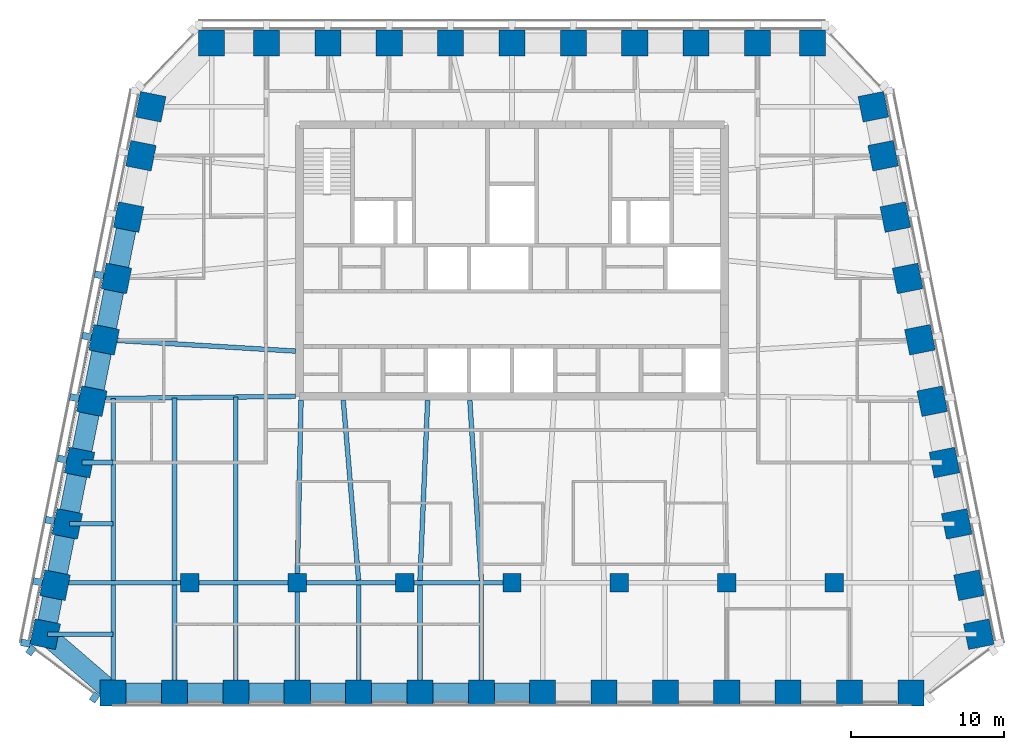
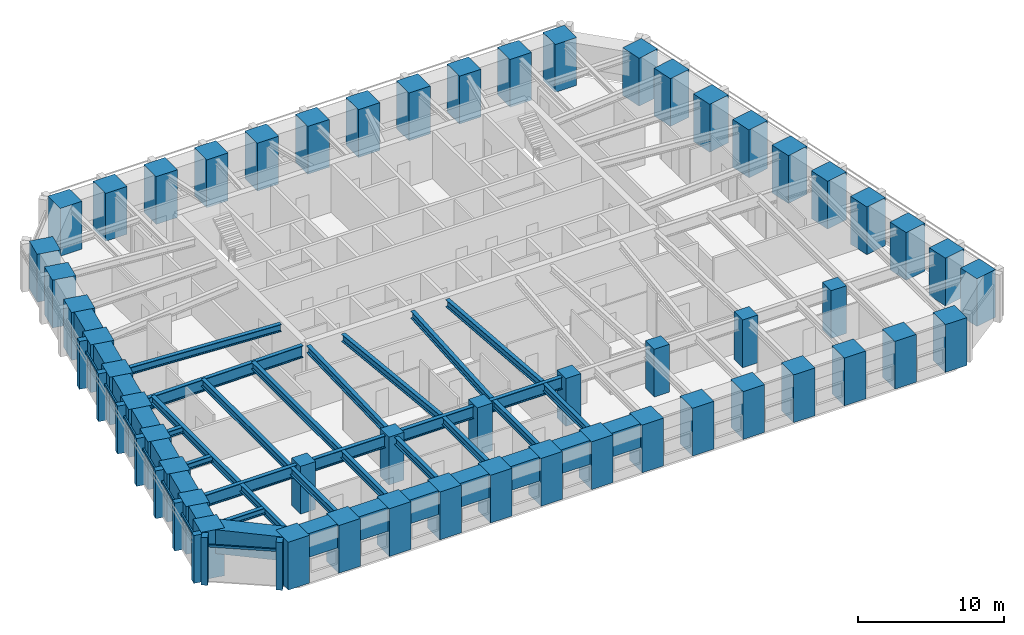
# One storey, part 1 of 11: 52 columns, 38 beams, 16 members, 2 elements without a shape of their own.
"""IFC4 building model written with IfcOpenShell, lengths in metres."""

from ifc_helpers import new_model, si_unit, direction, frame, origin, origin_2d, place, context, subcontext, project, spatial, rectangle, i_section, extrude, material, material_profile, profile_set, type_object, element, aggregate, save


model = new_model("IFC4")

# Units and contexts
model_context = context("Model", 3, precision=1e-05, world=origin(), true_north=direction((0.0, 1.0)))
body_context = subcontext(model_context, "Body", "Model", "MODEL_VIEW")
ifc_project = project(units=[si_unit("LENGTHUNIT", "METRE"), si_unit("AREAUNIT", "SQUARE_METRE"), si_unit("VOLUMEUNIT", "CUBIC_METRE"), si_unit("PLANEANGLEUNIT", "RADIAN"), si_unit("MASSUNIT", "GRAM", prefix="KILO")], contexts=[model_context])

# Site, building, storey
site_placement = place(None, origin())
site = spatial("IfcSite", under=ifc_project, at=site_placement, CompositionType="ELEMENT")
building_placement = place(site_placement, origin())
building = spatial("IfcBuilding", under=site, at=building_placement, Name="Isbrekke Arena Tower", CompositionType="ELEMENT")
storey_placement = place(building_placement, frame((0.0, 0.0, 264.0)))
storey = spatial("IfcBuildingStorey", under=building, at=storey_placement, Name="L61", CompositionType="ELEMENT", Elevation=264.0)

# Columns
ifc_material_1 = material(Name="Concrete B55 (C55/67)", Category="concrete")
ifc_material_profile_1 = material_profile(ifc_material_1, rectangle(XDim=1.199951171875, YDim=1.199951171875, at=origin_2d()), Name="RC 1200x1200")
ifc_profile_set_1 = profile_set([ifc_material_profile_1], Name="Concrete B55 (C55/67)")
column_type_1 = type_object("IfcColumnType", Name="C14 RC 1200 x 1200", PredefinedType="COLUMN", material=ifc_profile_set_1)
for number, where, z_axis, x_axis, name in (
    (1, (-21.0, -6.0, 0.0), (0.0, 0.0, 1.0), (1.0, 0.0, 0.0), "C14 I01"),
    (2, (-14.0, -6.0, 0.0), (0.0, 0.0, 1.0), (1.0, 0.0, 0.0), "C14 I02"),
    (3, (-7.0, -6.0, 0.0), (0.0, 0.0, 1.0), (1.0, 0.0, 0.0), "C14 I03"),
    (4, (0.0, -6.0, 0.0), (0.0, 0.0, 1.0), (1.0, 0.0, 0.0), "C14 I04"),
    (5, (7.0, -6.0, 0.0), (0.0, 0.0, 1.0), (1.0, 0.0, 0.0), "C14 I05"),
    (6, (14.0, -6.0, 0.0), (0.0, 0.0, 1.0), (1.0, 0.0, 0.0), "C14 I06"),
    (7, (21.0, -6.0, 0.0), (0.0, 0.0, 1.0), (1.0, 0.0, 0.0), "C14 I07"),
):
    element("IfcColumn", number, at=place(storey_placement, frame(where, z_axis=z_axis, x_axis=x_axis)), inside=storey, type_object=column_type_1, Name=name, PredefinedType="COLUMN", context=body_context, shape_type="SweptSolid", body=[
        extrude(rectangle(XDim=1.199951171875, YDim=1.199951171875, at=origin_2d()), origin(), (0.0, 0.0, 1.0), 4.0),
    ])
ifc_material_2 = material(Name="Concrete B55 (C55/67)", Category="concrete")
ifc_material_profile_2 = material_profile(ifc_material_2, rectangle(XDim=1.699951171875, YDim=1.699951171875, at=origin_2d()), Name="RC 1700x1700")
ifc_profile_set_2 = profile_set([ifc_material_profile_2], Name="Concrete B55 (C55/67)")
column_type_2 = type_object("IfcColumnType", Name="C5 RC 1700 x 1700", PredefinedType="COLUMN", material=ifc_profile_set_2)
for number, where, z_axis, x_axis, name in (
    (8, (-26.0, -13.175048828125, 0.0), (0.0, 0.0, 1.0), (1.0, 0.0, 0.0), "C5 S01"),
    (9, (-22.0, -13.175048828125, 0.0), (0.0, 0.0, 1.0), (1.0, 0.0, 0.0), "C5 S02"),
    (10, (-18.0, -13.175048828125, 0.0), (0.0, 0.0, 1.0), (1.0, 0.0, 0.0), "C5 S03"),
    (11, (-14.0, -13.175048828125, 0.0), (0.0, 0.0, 1.0), (1.0, 0.0, 0.0), "C5 S04"),
    (12, (-10.0, -13.175048828125, 0.0), (0.0, 0.0, 1.0), (1.0, 0.0, 0.0), "C5 S05"),
    (13, (-6.0, -13.175048828125, 0.0), (0.0, 0.0, 1.0), (1.0, 0.0, 0.0), "C5 S06"),
    (14, (-2.0, -13.175048828125, 0.0), (0.0, 0.0, 1.0), (1.0, 0.0, 0.0), "C5 S07"),
    (15, (2.0, -13.175048828125, 0.0), (0.0, 0.0, 1.0), (1.0, 0.0, 0.0), "C5 S08"),
    (16, (6.0, -13.175048828125, 0.0), (0.0, 0.0, 1.0), (1.0, 0.0, 0.0), "C5 S09"),
    (17, (10.0, -13.175048828125, 0.0), (0.0, 0.0, 1.0), (1.0, 0.0, 0.0), "C5 S10"),
    (18, (14.0, -13.175048828125, 0.0), (0.0, 0.0, 1.0), (1.0, 0.0, 0.0), "C5 S11"),
    (19, (18.0, -13.175048828125, 0.0), (0.0, 0.0, 1.0), (1.0, 0.0, 0.0), "C5 S12"),
    (20, (22.0, -13.175048828125, 0.0), (0.0, 0.0, 1.0), (1.0, 0.0, 0.0), "C5 S13"),
    (21, (26.0, -13.175048828125, 0.0), (0.0, 0.0, 1.0), (1.0, 0.0, 0.0), "C5 S14"),
    (22, (30.42919921875, -9.352783203125, 0.0), (0.0, 0.0, 1.0), (-0.196116135138, 0.980580675691, 0.0), "C5 E01"),
    (23, (29.791015625, -6.161865234375, 0.0), (0.0, 0.0, 1.0), (-0.196116135138, 0.980580675691, 0.0), "C5 E02"),
    (24, (28.990966796875, -2.161865234375, 0.0), (0.0, 0.0, 1.0), (-0.196116135138, 0.980580675691, 0.0), "C5 E03"),
    (25, (28.19091796875, 1.838134765625, 0.0), (0.0, 0.0, 1.0), (-0.196116135138, 0.980580675691, 0.0), "C5 E04"),
    (26, (27.39111328125, 5.838134765625, 0.0), (0.0, 0.0, 1.0), (-0.196116135138, 0.980580675691, 0.0), "C5 E05"),
    (27, (26.591064453125, 9.838134765625, 0.0), (0.0, 0.0, 1.0), (-0.196116135138, 0.980580675691, 0.0), "C5 E06"),
    (28, (25.791015625, 13.838134765625, 0.0), (0.0, 0.0, 1.0), (-0.196116135138, 0.980580675691, 0.0), "C5 E07"),
    (29, (24.990966796875, 17.838134765625, 0.0), (0.0, 0.0, 1.0), (-0.196116135138, 0.980580675691, 0.0), "C5 E08"),
    (30, (24.19091796875, 21.838134765625, 0.0), (0.0, 0.0, 1.0), (-0.196116135138, 0.980580675691, 0.0), "C5 E09"),
    (31, (23.552734375, 25.029296875, 0.0), (0.0, 0.0, 1.0), (-0.196116135138, 0.980580675691, 0.0), "C5 E10"),
    (32, (19.574951171875, 29.175048828125, 0.0), (0.0, 0.0, 1.0), (-1.0, 0.0, 0.0), "C5 N01"),
    (33, (16.0, 29.175048828125, 0.0), (0.0, 0.0, 1.0), (-1.0, 0.0, 0.0), "C5 N02"),
    (34, (12.0, 29.175048828125, 0.0), (0.0, 0.0, 1.0), (-1.0, 0.0, 0.0), "C5 N03"),
    (35, (8.0, 29.175048828125, 0.0), (0.0, 0.0, 1.0), (-1.0, 0.0, 0.0), "C5 N04"),
    (36, (4.0, 29.175048828125, 0.0), (0.0, 0.0, 1.0), (-1.0, 0.0, 0.0), "C5 N05"),
    (37, (0.0, 29.175048828125, 0.0), (0.0, 0.0, 1.0), (-1.0, 0.0, 0.0), "C5 N06"),
    (38, (-4.0, 29.175048828125, 0.0), (0.0, 0.0, 1.0), (-1.0, 0.0, 0.0), "C5 N07"),
    (39, (-8.0, 29.175048828125, 0.0), (0.0, 0.0, 1.0), (-1.0, 0.0, 0.0), "C5 N08"),
    (40, (-12.0, 29.175048828125, 0.0), (0.0, 0.0, 1.0), (-1.0, 0.0, 0.0), "C5 N09"),
    (41, (-16.0, 29.175048828125, 0.0), (0.0, 0.0, 1.0), (-1.0, 0.0, 0.0), "C5 N10"),
    (42, (-19.574951171875, 29.175048828125, 0.0), (0.0, 0.0, 1.0), (-1.0, 0.0, 0.0), "C5 N11"),
    (43, (-23.552734375, 25.029296875, 0.0), (0.0, 0.0, 1.0), (-0.196116135138, -0.980580675691, 0.0), "C5 W01"),
    (44, (-24.19091796875, 21.838134765625, 0.0), (0.0, 0.0, 1.0), (-0.196116135138, -0.980580675691, 0.0), "C5 W02"),
    (45, (-24.990966796875, 17.838134765625, 0.0), (0.0, 0.0, 1.0), (-0.196116135138, -0.980580675691, 0.0), "C5 W03"),
    (46, (-25.791015625, 13.838134765625, 0.0), (0.0, 0.0, 1.0), (-0.196116135138, -0.980580675691, 0.0), "C5 W04"),
    (47, (-26.591064453125, 9.838134765625, 0.0), (0.0, 0.0, 1.0), (-0.196116135138, -0.980580675691, 0.0), "C5 W05"),
    (48, (-27.39111328125, 5.838134765625, 0.0), (0.0, 0.0, 1.0), (-0.196116135138, -0.980580675691, 0.0), "C5 W06"),
    (49, (-28.19091796875, 1.838134765625, 0.0), (0.0, 0.0, 1.0), (-0.196116135138, -0.980580675691, 0.0), "C5 W07"),
    (50, (-28.990966796875, -2.161865234375, 0.0), (0.0, 0.0, 1.0), (-0.196116135138, -0.980580675691, 0.0), "C5 W08"),
    (51, (-29.791015625, -6.161865234375, 0.0), (0.0, 0.0, 1.0), (-0.196116135138, -0.980580675691, 0.0), "C5 W09"),
    (52, (-30.42919921875, -9.352783203125, 0.0), (0.0, 0.0, 1.0), (-0.196116135138, -0.980580675691, 0.0), "C5 W10"),
):
    element("IfcColumn", number, at=place(storey_placement, frame(where, z_axis=z_axis, x_axis=x_axis)), inside=storey, type_object=column_type_2, Name=name, PredefinedType="COLUMN", context=body_context, shape_type="SweptSolid", body=[
        extrude(rectangle(XDim=1.699951171875, YDim=1.699951171875, at=origin_2d()), origin(), (0.0, 0.0, 1.0), 4.0),
    ])

# Beams
ifc_material_3 = material(Name="Steel S355", Category="steel")
ifc_material_profile_3 = material_profile(ifc_material_3, i_section(OverallWidth=0.304931640625, OverallDepth=0.6201171875, WebThickness=0.02099609375, FlangeThickness=0.0400390625, FilletRadius=0.027099609375, at=origin_2d()), Name="HEM 600")
ifc_profile_set_3 = profile_set([ifc_material_profile_3], Name="Steel S355")
beam_type_1 = type_object("IfcBeamType", Name="B4 HEM 600", PredefinedType="BEAM", material=ifc_profile_set_3)
for number, where, z_axis, x_axis, name in (
    (53, (-26.0, -13.02490234375, 3.5400390625), (0.0, 1.0, 0.0), (-1.0, 0.0, 0.0), "B4 beam S-S01 L61"),
    (54, (-22.0, -13.02490234375, 3.5400390625), (0.0, 1.0, 0.0), (-1.0, 0.0, 0.0), "B4 beam S-S02 L61"),
    (55, (-18.0, -13.02490234375, 3.5400390625), (0.0, 1.0, 0.0), (-1.0, 0.0, 0.0), "B4 beam S-S03 L61"),
):
    element("IfcBeam", number, at=place(storey_placement, frame(where, z_axis=z_axis, x_axis=x_axis)), inside=storey, type_object=beam_type_1, Name=name, PredefinedType="BEAM", context=body_context, shape_type="SweptSolid", body=[
        extrude(i_section(OverallWidth=0.304931640625, OverallDepth=0.6201171875, WebThickness=0.02099609375, FlangeThickness=0.0400390625, FilletRadius=0.027099609375, at=origin_2d()), origin(), (0.0, 0.0, 1.0), 6.8740234375),
    ])
beam_1_placement = place(storey_placement, frame((-14.0, -13.02490234375, 3.5400390625), z_axis=(0.0, 1.0, 0.0), x_axis=(-1.0, 0.0, 0.0)))
element("IfcBeam", 56, at=beam_1_placement, inside=storey, type_object=beam_type_1, Name="B4 beam S-S04 L61", PredefinedType="BEAM", context=body_context, shape_type="SweptSolid", body=[
    extrude(i_section(OverallWidth=0.304931640625, OverallDepth=0.6201171875, WebThickness=0.02099609375, FlangeThickness=0.0400390625, FilletRadius=0.027099609375, at=origin_2d()), origin(), (0.0, 0.0, 1.0), 6.875),
])
for number, where, z_axis, x_axis, name in (
    (57, (-10.0, -13.02490234375, 3.5400390625), (0.0, 1.0, 0.0), (-1.0, 0.0, 0.0), "B4 beam S-S05 L61"),
    (58, (-6.0, -13.02490234375, 3.5400390625), (0.0, 1.0, 0.0), (-1.0, 0.0, 0.0), "B4 beam S-S06 L61"),
    (59, (-2.0, -13.02490234375, 3.5400390625), (0.0, 1.0, 0.0), (-1.0, 0.0, 0.0), "B4 beam S-S07 L61"),
):
    element("IfcBeam", number, at=place(storey_placement, frame(where, z_axis=z_axis, x_axis=x_axis)), inside=storey, type_object=beam_type_1, Name=name, PredefinedType="BEAM", context=body_context, shape_type="SweptSolid", body=[
        extrude(i_section(OverallWidth=0.304931640625, OverallDepth=0.6201171875, WebThickness=0.02099609375, FlangeThickness=0.0400390625, FilletRadius=0.027099609375, at=origin_2d()), origin(), (0.0, 0.0, 1.0), 6.8740234375),
    ])
beam_2_placement = place(storey_placement, frame((-26.0, -5.84912109375, 3.5400390625), z_axis=(0.0, 1.0, 0.0), x_axis=(-1.0, 0.0, 0.0)))
element("IfcBeam", 60, at=beam_2_placement, inside=storey, type_object=beam_type_1, Name="B4 beam C-M01 L61", PredefinedType="BEAM", context=body_context, shape_type="SweptSolid", body=[
    extrude(i_section(OverallWidth=0.304931640625, OverallDepth=0.6201171875, WebThickness=0.02099609375, FlangeThickness=0.0400390625, FilletRadius=0.027099609375, at=origin_2d()), origin(), (0.0, 0.0, 1.0), 11.86474609375),
])
beam_3_placement = place(storey_placement, frame((-22.0, -5.84912109375, 3.5400390625), z_axis=(0.0, 1.0, 0.0), x_axis=(-1.0, 0.0, 0.0)))
element("IfcBeam", 61, at=beam_3_placement, inside=storey, type_object=beam_type_1, Name="B4 beam C-M02 L61", PredefinedType="BEAM", context=body_context, shape_type="SweptSolid", body=[
    extrude(i_section(OverallWidth=0.304931640625, OverallDepth=0.6201171875, WebThickness=0.02099609375, FlangeThickness=0.0400390625, FilletRadius=0.027099609375, at=origin_2d()), origin(), (0.0, 0.0, 1.0), 11.909912109375),
])
beam_4_placement = place(storey_placement, frame((-18.0, -5.84912109375, 3.5400390625), z_axis=(0.0, 1.0, 0.0), x_axis=(-1.0, 0.0, 0.0)))
element("IfcBeam", 62, at=beam_4_placement, inside=storey, type_object=beam_type_1, Name="B4 beam C-M03 L61", PredefinedType="BEAM", context=body_context, shape_type="SweptSolid", body=[
    extrude(i_section(OverallWidth=0.304931640625, OverallDepth=0.6201171875, WebThickness=0.02099609375, FlangeThickness=0.0400390625, FilletRadius=0.027099609375, at=origin_2d()), origin(), (0.0, 0.0, 1.0), 11.955078125),
])
beam_5_placement = place(storey_placement, frame((-14.0, -5.8466796875, 3.5400390625), z_axis=(0.021277968258, 0.999773598405, 0.0), x_axis=(-0.999773598405, 0.021277968258, 0.0)))
element("IfcBeam", 63, at=beam_5_placement, inside=storey, type_object=beam_type_1, Name="B4 beam C-M04 L61", PredefinedType="BEAM", context=body_context, shape_type="SweptSolid", body=[
    extrude(i_section(OverallWidth=0.304931640625, OverallDepth=0.6201171875, WebThickness=0.02099609375, FlangeThickness=0.0400390625, FilletRadius=0.027099609375, at=origin_2d()), origin(), (0.0, 0.0, 1.0), 11.749267578125),
])
beam_6_placement = place(storey_placement, frame((-10.0009765625, -5.836181640625, 3.5400390625), z_axis=(-0.084817344046, 0.996396516528, 0.0), x_axis=(-0.996396516528, -0.084817344046, 0.0)))
element("IfcBeam", 64, at=beam_6_placement, inside=storey, type_object=beam_type_1, Name="B4 beam C-M05 L61", PredefinedType="BEAM", context=body_context, shape_type="SweptSolid", body=[
    extrude(i_section(OverallWidth=0.304931640625, OverallDepth=0.6201171875, WebThickness=0.02099609375, FlangeThickness=0.0400390625, FilletRadius=0.027099609375, at=origin_2d()), origin(), (0.0, 0.0, 1.0), 11.778564453125),
])
beam_7_placement = place(storey_placement, frame((-5.999755859375, -5.842529296875, 3.5400390625), z_axis=(0.042521334166, 0.999095559064, 0.0), x_axis=(-0.999095559064, 0.042521334166, 0.0)))
element("IfcBeam", 65, at=beam_7_placement, inside=storey, type_object=beam_type_1, Name="B4 beam C-M06 L61", PredefinedType="BEAM", context=body_context, shape_type="SweptSolid", body=[
    extrude(i_section(OverallWidth=0.304931640625, OverallDepth=0.6201171875, WebThickness=0.02099609375, FlangeThickness=0.0400390625, FilletRadius=0.027099609375, at=origin_2d()), origin(), (0.0, 0.0, 1.0), 11.753173828125),
])
beam_8_placement = place(storey_placement, frame((-2.000732421875, -5.83935546875, 3.5400390625), z_axis=(-0.063696196046, 0.997969335506, 0.0), x_axis=(-0.997969335506, -0.063696196046, 0.0)))
element("IfcBeam", 66, at=beam_8_placement, inside=storey, type_object=beam_type_1, Name="B4 beam C-M07 L61", PredefinedType="BEAM", context=body_context, shape_type="SweptSolid", body=[
    extrude(i_section(OverallWidth=0.304931640625, OverallDepth=0.6201171875, WebThickness=0.02099609375, FlangeThickness=0.0400390625, FilletRadius=0.027099609375, at=origin_2d()), origin(), (0.0, 0.0, 1.0), 11.76318359375),
])
beam_9_placement = place(storey_placement, frame((-26.431884765625, 9.837646484375, 3.5400390625), z_axis=(0.998216240514, -0.059702070095, 0.0), x_axis=(0.059702070095, 0.998216240514, 0.0)))
element("IfcBeam", 67, at=beam_9_placement, inside=storey, type_object=beam_type_1, Name="B4 beam E-W05 L61", PredefinedType="BEAM", context=body_context, shape_type="SweptSolid", body=[
    extrude(i_section(OverallWidth=0.304931640625, OverallDepth=0.6201171875, WebThickness=0.02099609375, FlangeThickness=0.0400390625, FilletRadius=0.027099609375, at=origin_2d()), origin(), (0.0, 0.0, 1.0), 12.353759765625),
])
ifc_material_4 = material(Name="Steel S355", Category="steel")
ifc_material_profile_4 = material_profile(ifc_material_4, i_section(OverallWidth=0.305908203125, OverallDepth=0.52392578125, WebThickness=0.02099609375, FlangeThickness=0.0400390625, FilletRadius=0.027099609375, at=origin_2d()), Name="HEM 500")
ifc_profile_set_4 = profile_set([ifc_material_profile_4], Name="Steel S355")
beam_type_2 = type_object("IfcBeamType", Name="B5 HEM 500", PredefinedType="BEAM", material=ifc_profile_set_4)
beam_10_placement = place(storey_placement, frame((-28.041015625, 1.838134765625, 3.587890625), z_axis=(1.0, 0.0, 0.0), x_axis=(0.0, 1.0, 0.0)))
element("IfcBeam", 68, at=beam_10_placement, inside=storey, type_object=beam_type_2, Name="B5 beam E-W07 L61", PredefinedType="BEAM", context=body_context, shape_type="SweptSolid", body=[
    extrude(i_section(OverallWidth=0.305908203125, OverallDepth=0.52392578125, WebThickness=0.02099609375, FlangeThickness=0.0400390625, FilletRadius=0.027099609375, at=origin_2d()), origin(), (0.0, 0.0, 1.0), 2.041015625),
])
beam_11_placement = place(storey_placement, frame((-28.841064453125, -2.161865234375, 3.587890625), z_axis=(1.0, 0.0, 0.0), x_axis=(0.0, 1.0, 0.0)))
element("IfcBeam", 69, at=beam_11_placement, inside=storey, type_object=beam_type_2, Name="B5 beam E-W08 L61", PredefinedType="BEAM", context=body_context, shape_type="SweptSolid", body=[
    extrude(i_section(OverallWidth=0.305908203125, OverallDepth=0.52392578125, WebThickness=0.02099609375, FlangeThickness=0.0400390625, FilletRadius=0.027099609375, at=origin_2d()), origin(), (0.0, 0.0, 1.0), 2.841064453125),
])
beam_12_placement = place(storey_placement, frame((-30.279296875, -9.352783203125, 3.587890625), z_axis=(1.0, 0.0, 0.0), x_axis=(0.0, 1.0, 0.0)))
element("IfcBeam", 70, at=beam_12_placement, inside=storey, type_object=beam_type_2, Name="B5 beam E-W10 L61", PredefinedType="BEAM", context=body_context, shape_type="SweptSolid", body=[
    extrude(i_section(OverallWidth=0.305908203125, OverallDepth=0.52392578125, WebThickness=0.02099609375, FlangeThickness=0.0400390625, FilletRadius=0.027099609375, at=origin_2d()), origin(), (0.0, 0.0, 1.0), 4.279296875),
])

# Curtain wall, members
ifc_material_5 = material(Name="Glazed aluminium curtain wall", Category="aluminium")
curtain_wall_type = type_object("IfcCurtainWallType", Name="CWT TOWER CURTAIN WALL TOP ZONE", PredefinedType="USERDEFINED", material=ifc_material_5)
curtain_wall_1_placement = place(storey_placement, origin())
curtain_wall_1 = element("IfcCurtainWall", 71, at=curtain_wall_1_placement, inside=storey, type_object=curtain_wall_type, Name="CWT curtain wall L61-W", ObjectType="TOWER CURTAIN WALL TOP ZONE", PredefinedType="USERDEFINED")
ifc_material_6 = material(Name="Copper-clad aluminium mullion", Category="aluminium")
ifc_material_profile_5 = material_profile(ifc_material_6, rectangle(XDim=0.449951171875, YDim=0.60009765625, at=origin_2d()), Name="PIER 450X600")
ifc_profile_set_5 = profile_set([ifc_material_profile_5], Name="Copper-clad aluminium mullion")
member_type_1 = type_object("IfcMemberType", Name="CWT-M PIER MULLION 450 x 600", PredefinedType="MULLION", material=ifc_profile_set_5)
member_1_placement = place(storey_placement, frame((-26.918701171875, 14.063720703125, 0.0), z_axis=(0.0, 0.0, 1.0), x_axis=(-0.196116135138, -0.980580675691, 0.0)))
member_1 = element("IfcMember", 72, at=member_1_placement, type_object=member_type_1, Name="CWT-M mullion 4", PredefinedType="MULLION", context=body_context, shape_type="SweptSolid", body=[
    extrude(rectangle(XDim=0.449951171875, YDim=0.60009765625, at=origin_2d()), origin(), (0.0, 0.0, 1.0), 4.0),
])
member_2_placement = place(storey_placement, frame((-27.71875, 10.063720703125, 0.0), z_axis=(0.0, 0.0, 1.0), x_axis=(-0.196116135138, -0.980580675691, 0.0)))
member_2 = element("IfcMember", 73, at=member_2_placement, type_object=member_type_1, Name="CWT-M mullion 5", PredefinedType="MULLION", context=body_context, shape_type="SweptSolid", body=[
    extrude(rectangle(XDim=0.449951171875, YDim=0.60009765625, at=origin_2d()), origin(), (0.0, 0.0, 1.0), 4.0),
])
member_3_placement = place(storey_placement, frame((-28.518798828125, 6.063720703125, 0.0), z_axis=(0.0, 0.0, 1.0), x_axis=(-0.196116135138, -0.980580675691, 0.0)))
member_3 = element("IfcMember", 74, at=member_3_placement, type_object=member_type_1, Name="CWT-M mullion 6", PredefinedType="MULLION", context=body_context, shape_type="SweptSolid", body=[
    extrude(rectangle(XDim=0.449951171875, YDim=0.60009765625, at=origin_2d()), origin(), (0.0, 0.0, 1.0), 4.0),
])
member_4_placement = place(storey_placement, frame((-29.318603515625, 2.063720703125, 0.0), z_axis=(0.0, 0.0, 1.0), x_axis=(-0.196116135138, -0.980580675691, 0.0)))
member_4 = element("IfcMember", 75, at=member_4_placement, type_object=member_type_1, Name="CWT-M mullion 7", PredefinedType="MULLION", context=body_context, shape_type="SweptSolid", body=[
    extrude(rectangle(XDim=0.449951171875, YDim=0.60009765625, at=origin_2d()), origin(), (0.0, 0.0, 1.0), 4.0),
])
member_5_placement = place(storey_placement, frame((-30.11865234375, -1.936279296875, 0.0), z_axis=(0.0, 0.0, 1.0), x_axis=(-0.196116135138, -0.980580675691, 0.0)))
member_5 = element("IfcMember", 76, at=member_5_placement, type_object=member_type_1, Name="CWT-M mullion 8", PredefinedType="MULLION", context=body_context, shape_type="SweptSolid", body=[
    extrude(rectangle(XDim=0.449951171875, YDim=0.60009765625, at=origin_2d()), origin(), (0.0, 0.0, 1.0), 4.0),
])
member_6_placement = place(storey_placement, frame((-30.918701171875, -5.936279296875, 0.0), z_axis=(0.0, 0.0, 1.0), x_axis=(-0.196116135138, -0.980580675691, 0.0)))
member_6 = element("IfcMember", 77, at=member_6_placement, type_object=member_type_1, Name="CWT-M mullion 9", PredefinedType="MULLION", context=body_context, shape_type="SweptSolid", body=[
    extrude(rectangle(XDim=0.449951171875, YDim=0.60009765625, at=origin_2d()), origin(), (0.0, 0.0, 1.0), 4.0),
])
member_7_placement = place(storey_placement, frame((-31.71875, -9.936279296875, 0.0), z_axis=(0.0, 0.0, 1.0), x_axis=(-0.196116135138, -0.980580675691, 0.0)))
member_7 = element("IfcMember", 78, at=member_7_placement, type_object=member_type_1, Name="CWT-M mullion 10", PredefinedType="MULLION", context=body_context, shape_type="SweptSolid", body=[
    extrude(rectangle(XDim=0.449951171875, YDim=0.60009765625, at=origin_2d()), origin(), (0.0, 0.0, 1.0), 4.0),
])

curtain_wall_2_placement = place(storey_placement, origin())
curtain_wall_2 = element("IfcCurtainWall", 79, at=curtain_wall_2_placement, inside=storey, type_object=curtain_wall_type, Name="CWT curtain wall L61-WS", ObjectType="TOWER CURTAIN WALL TOP ZONE", PredefinedType="USERDEFINED")
member_8_placement = place(storey_placement, frame((-31.355224609375, -10.406494140625, 0.0), z_axis=(0.0, 0.0, 1.0), x_axis=(0.803557193345, -0.595227550626, 0.0)))
member_8 = element("IfcMember", 80, at=member_8_placement, type_object=member_type_1, Name="CWT-M mullion 1", PredefinedType="MULLION", context=body_context, shape_type="SweptSolid", body=[
    extrude(rectangle(XDim=0.449951171875, YDim=0.60009765625, at=origin_2d()), origin(), (0.0, 0.0, 1.0), 4.0),
])
member_9_placement = place(storey_placement, frame((-27.207275390625, -13.47900390625, 0.0), z_axis=(0.0, 0.0, 1.0), x_axis=(0.803557193345, -0.595227550626, 0.0)))
member_9 = element("IfcMember", 81, at=member_9_placement, type_object=member_type_1, Name="CWT-M mullion 2", PredefinedType="MULLION", context=body_context, shape_type="SweptSolid", body=[
    extrude(rectangle(XDim=0.449951171875, YDim=0.60009765625, at=origin_2d()), origin(), (0.0, 0.0, 1.0), 4.0),
])

# Member
ifc_material_7 = material(Name="Aluminium transom", Category="aluminium")
ifc_material_profile_6 = material_profile(ifc_material_7, rectangle(XDim=0.1201171875, YDim=0.199951171875, at=origin_2d()), Name="TRANSOM 120X200")
ifc_profile_set_6 = profile_set([ifc_material_profile_6], Name="Aluminium transom")
member_type_2 = type_object("IfcMemberType", Name="CWT-T TRANSOM 120 x 200", PredefinedType="USERDEFINED", material=ifc_profile_set_6)
member_10_placement = place(storey_placement, frame((-26.7666015625, 13.803955078125, 3.0), z_axis=(-0.196154943734, -0.980572913173, 0.0), x_axis=(0.980572913173, -0.196154943734, 0.0)))
member_10 = element("IfcMember", 82, at=member_10_placement, type_object=member_type_2, Name="CWT-T transom 4", ObjectType="TRANSOM", PredefinedType="USERDEFINED", context=body_context, shape_type="SweptSolid", body=[
    extrude(rectangle(XDim=0.1201171875, YDim=0.199951171875, at=origin_2d()), origin(), (0.0, 0.0, 1.0), 3.62939453125),
])

member_11_placement = place(storey_placement, frame((-27.566650390625, 9.803955078125, 3.0), z_axis=(-0.196154943734, -0.980572913173, 0.0), x_axis=(0.980572913173, -0.196154943734, 0.0)))
member_11 = element("IfcMember", 83, at=member_11_placement, type_object=member_type_2, Name="CWT-T transom 5", ObjectType="TRANSOM", PredefinedType="USERDEFINED", context=body_context, shape_type="SweptSolid", body=[
    extrude(rectangle(XDim=0.1201171875, YDim=0.199951171875, at=origin_2d()), origin(), (0.0, 0.0, 1.0), 3.62939453125),
])

member_12_placement = place(storey_placement, frame((-28.36669921875, 5.803955078125, 3.0), z_axis=(-0.196090262229, -0.980585849918, 0.0), x_axis=(0.980585849918, -0.196090262229, 0.0)))
member_12 = element("IfcMember", 84, at=member_12_placement, type_object=member_type_2, Name="CWT-T transom 6", ObjectType="TRANSOM", PredefinedType="USERDEFINED", context=body_context, shape_type="SweptSolid", body=[
    extrude(rectangle(XDim=0.1201171875, YDim=0.199951171875, at=origin_2d()), origin(), (0.0, 0.0, 1.0), 3.62939453125),
])

member_13_placement = place(storey_placement, frame((-29.166748046875, 1.803955078125, 3.0), z_axis=(-0.196090262229, -0.980585849918, 0.0), x_axis=(0.980585849918, -0.196090262229, 0.0)))
member_13 = element("IfcMember", 85, at=member_13_placement, type_object=member_type_2, Name="CWT-T transom 7", ObjectType="TRANSOM", PredefinedType="USERDEFINED", context=body_context, shape_type="SweptSolid", body=[
    extrude(rectangle(XDim=0.1201171875, YDim=0.199951171875, at=origin_2d()), origin(), (0.0, 0.0, 1.0), 3.62939453125),
])

member_14_placement = place(storey_placement, frame((-29.966796875, -2.196044921875, 3.0), z_axis=(-0.196090262229, -0.980585849918, 0.0), x_axis=(0.980585849918, -0.196090262229, 0.0)))
member_14 = element("IfcMember", 86, at=member_14_placement, type_object=member_type_2, Name="CWT-T transom 8", ObjectType="TRANSOM", PredefinedType="USERDEFINED", context=body_context, shape_type="SweptSolid", body=[
    extrude(rectangle(XDim=0.1201171875, YDim=0.199951171875, at=origin_2d()), origin(), (0.0, 0.0, 1.0), 3.62939453125),
])

member_15_placement = place(storey_placement, frame((-30.7666015625, -6.196044921875, 3.0), z_axis=(-0.196154943734, -0.980572913173, 0.0), x_axis=(0.980572913173, -0.196154943734, 0.0)))
member_15 = element("IfcMember", 87, at=member_15_placement, type_object=member_type_2, Name="CWT-T transom 9", ObjectType="TRANSOM", PredefinedType="USERDEFINED", context=body_context, shape_type="SweptSolid", body=[
    extrude(rectangle(XDim=0.1201171875, YDim=0.199951171875, at=origin_2d()), origin(), (0.0, 0.0, 1.0), 3.62939453125),
])

aggregate(curtain_wall_1, [member_1, member_2, member_3, member_4, member_5, member_6, member_7, member_10, member_11, member_12, member_13, member_14, member_15])

member_16_placement = place(storey_placement, frame((-31.055419921875, -10.379638671875, 3.0), z_axis=(0.803560864724, -0.595222594232, 0.0), x_axis=(0.595222594232, 0.803560864724, 0.0)))
member_16 = element("IfcMember", 88, at=member_16_placement, type_object=member_type_2, Name="CWT-T transom 1", ObjectType="TRANSOM", PredefinedType="USERDEFINED", context=body_context, shape_type="SweptSolid", body=[
    extrude(rectangle(XDim=0.1201171875, YDim=0.199951171875, at=origin_2d()), origin(), (0.0, 0.0, 1.0), 4.7119140625),
])

aggregate(curtain_wall_2, [member_8, member_9, member_16])

# Beams
ifc_material_8 = material(Name="Steel S355", Category="steel")
ifc_material_profile_7 = material_profile(ifc_material_8, i_section(OverallWidth=0.302001953125, OverallDepth=1.008056640625, WebThickness=0.02099609375, FlangeThickness=0.0400390625, FilletRadius=0.030029296875, at=origin_2d()), Name="HEM 1000")
ifc_profile_set_7 = profile_set([ifc_material_profile_7], Name="Steel S355")
beam_type_3 = type_object("IfcBeamType", Name="G1 HEM 1000", PredefinedType="BEAM", material=ifc_profile_set_7)
beam_13_placement = place(storey_placement, frame((-29.791015625, -6.0, 3.345947265625), z_axis=(1.0, 0.0, 0.0), x_axis=(0.0, 1.0, 0.0)))
element("IfcBeam", 89, at=beam_13_placement, inside=storey, type_object=beam_type_3, Name="G1 beam G1-01 L61", PredefinedType="BEAM", context=body_context, shape_type="SweptSolid", body=[
    extrude(i_section(OverallWidth=0.302001953125, OverallDepth=1.008056640625, WebThickness=0.02099609375, FlangeThickness=0.0400390625, FilletRadius=0.030029296875, at=origin_2d()), origin(), (0.0, 0.0, 1.0), 8.64111328125),
])
for number, where, z_axis, x_axis, name in (
    (90, (-20.85009765625, -6.0, 3.345947265625), (1.0, 0.0, 0.0), (0.0, 1.0, 0.0), "G1 beam G1-02 L61"),
    (91, (-13.85009765625, -6.0, 3.345947265625), (1.0, 0.0, 0.0), (0.0, 1.0, 0.0), "G1 beam G1-03 L61"),
    (92, (-6.85009765625, -6.0, 3.345947265625), (1.0, 0.0, 0.0), (0.0, 1.0, 0.0), "G1 beam G1-04 L61"),
):
    element("IfcBeam", number, at=place(storey_placement, frame(where, z_axis=z_axis, x_axis=x_axis)), inside=storey, type_object=beam_type_3, Name=name, PredefinedType="BEAM", context=body_context, shape_type="SweptSolid", body=[
        extrude(i_section(OverallWidth=0.302001953125, OverallDepth=1.008056640625, WebThickness=0.02099609375, FlangeThickness=0.0400390625, FilletRadius=0.030029296875, at=origin_2d()), origin(), (0.0, 0.0, 1.0), 6.7001953125),
    ])
ifc_material_9 = material(Name="Steel S355", Category="steel")
ifc_material_profile_8 = material_profile(ifc_material_9, i_section(OverallWidth=0.302001953125, OverallDepth=1.008056640625, WebThickness=0.02099609375, FlangeThickness=0.0400390625, FilletRadius=0.030029296875, at=origin_2d()), Name="HEM 1000")
ifc_profile_set_8 = profile_set([ifc_material_profile_8], Name="Steel S355")
beam_type_4 = type_object("IfcBeamType", Name="G2 HEM 1000", PredefinedType="BEAM", material=ifc_profile_set_8)
beam_14_placement = place(storey_placement, frame((-14.10009765625, 6.14990234375, 3.345947265625), z_axis=(-0.999936387749, -0.011279204565, 0.0), x_axis=(0.011279204565, -0.999936387749, 0.0)))
element("IfcBeam", 93, at=beam_14_placement, inside=storey, type_object=beam_type_4, Name="G2 beam G2-W L61", PredefinedType="BEAM", context=body_context, shape_type="SweptSolid", body=[
    extrude(i_section(OverallWidth=0.302001953125, OverallDepth=1.008056640625, WebThickness=0.02099609375, FlangeThickness=0.0400390625, FilletRadius=0.030029296875, at=origin_2d()), origin(), (0.0, 0.0, 1.0), 13.2900390625),
])
ifc_material_10 = material(Name="Concrete B55 (C55/67)", Category="concrete")
ifc_material_profile_9 = material_profile(ifc_material_10, rectangle(XDim=1.300048828125, YDim=2.0, at=origin_2d()), Name="RC 1300x2000")
ifc_profile_set_9 = profile_set([ifc_material_profile_9], Name="Concrete B55 (C55/67)")
beam_type_5 = type_object("IfcBeamType", Name="SB4 RC 1300 x 2000", PredefinedType="SPANDREL", material=ifc_profile_set_9)
for number, where, z_axis, x_axis, name in (
    (94, (-25.85009765625, -13.175048828125, 3.0), (1.0, 0.0, 0.0), (0.0, 1.0, 0.0), "SB4 spandrel S01-S02 L61"),
    (95, (-21.85009765625, -13.175048828125, 3.0), (1.0, 0.0, 0.0), (0.0, 1.0, 0.0), "SB4 spandrel S02-S03 L61"),
    (96, (-17.85009765625, -13.175048828125, 3.0), (1.0, 0.0, 0.0), (0.0, 1.0, 0.0), "SB4 spandrel S03-S04 L61"),
    (97, (-13.85009765625, -13.175048828125, 3.0), (1.0, 0.0, 0.0), (0.0, 1.0, 0.0), "SB4 spandrel S04-S05 L61"),
    (98, (-9.85009765625, -13.175048828125, 3.0), (1.0, 0.0, 0.0), (0.0, 1.0, 0.0), "SB4 spandrel S05-S06 L61"),
    (99, (-5.85009765625, -13.175048828125, 3.0), (1.0, 0.0, 0.0), (0.0, 1.0, 0.0), "SB4 spandrel S06-S07 L61"),
    (100, (-1.85009765625, -13.175048828125, 3.0), (1.0, 0.0, 0.0), (0.0, 1.0, 0.0), "SB4 spandrel S07-S08 L61"),
):
    element("IfcBeam", number, at=place(storey_placement, frame(where, z_axis=z_axis, x_axis=x_axis)), inside=storey, type_object=beam_type_5, Name=name, PredefinedType="SPANDREL", context=body_context, shape_type="SweptSolid", body=[
        extrude(rectangle(XDim=1.300048828125, YDim=2.0, at=origin_2d()), origin(), (0.0, 0.0, 1.0), 3.7001953125),
    ])
beam_15_placement = place(storey_placement, frame((-25.0205078125, 17.691162109375, 3.0), z_axis=(-0.196128558387, -0.980578190959, 0.0), x_axis=(0.980578190959, -0.196128558387, 0.0)))
element("IfcBeam", 101, at=beam_15_placement, inside=storey, type_object=beam_type_5, Name="SB4 spandrel W03-W04 L61", PredefinedType="SPANDREL", context=body_context, shape_type="SweptSolid", body=[
    extrude(rectangle(XDim=1.300048828125, YDim=2.0, at=origin_2d()), origin(), (0.0, 0.0, 1.0), 3.779296875),
])
beam_16_placement = place(storey_placement, frame((-25.820556640625, 13.691162109375, 3.0), z_axis=(-0.1960664412, -0.980590613169, 0.0), x_axis=(0.980590613169, -0.1960664412, 0.0)))
element("IfcBeam", 102, at=beam_16_placement, inside=storey, type_object=beam_type_5, Name="SB4 spandrel W04-W05 L61", PredefinedType="SPANDREL", context=body_context, shape_type="SweptSolid", body=[
    extrude(rectangle(XDim=1.300048828125, YDim=2.0, at=origin_2d()), origin(), (0.0, 0.0, 1.0), 3.779052734375),
])
for number, where, z_axis, x_axis, name in (
    (103, (-26.620361328125, 9.691162109375, 3.0), (-0.196128558387, -0.980578190959, 0.0), (0.980578190959, -0.196128558387, 0.0), "SB4 spandrel W05-W06 L61"),
    (104, (-27.42041015625, 5.691162109375, 3.0), (-0.196128558387, -0.980578190959, 0.0), (0.980578190959, -0.196128558387, 0.0), "SB4 spandrel W06-W07 L61"),
    (105, (-28.220458984375, 1.691162109375, 3.0), (-0.196128558387, -0.980578190959, 0.0), (0.980578190959, -0.196128558387, 0.0), "SB4 spandrel W07-W08 L61"),
    (106, (-29.0205078125, -2.308837890625, 3.0), (-0.196128558387, -0.980578190959, 0.0), (0.980578190959, -0.196128558387, 0.0), "SB4 spandrel W08-W09 L61"),
):
    element("IfcBeam", number, at=place(storey_placement, frame(where, z_axis=z_axis, x_axis=x_axis)), inside=storey, type_object=beam_type_5, Name=name, PredefinedType="SPANDREL", context=body_context, shape_type="SweptSolid", body=[
        extrude(rectangle(XDim=1.300048828125, YDim=2.0, at=origin_2d()), origin(), (0.0, 0.0, 1.0), 3.779296875),
    ])
beam_17_placement = place(storey_placement, frame((-29.820556640625, -6.308837890625, 3.0), z_axis=(-0.196100243168, -0.980583853951, 0.0), x_axis=(0.980583853951, -0.196100243168, 0.0)))
element("IfcBeam", 107, at=beam_17_placement, inside=storey, type_object=beam_type_5, Name="SB4 spandrel W09-W10 L61", PredefinedType="SPANDREL", context=body_context, shape_type="SweptSolid", body=[
    extrude(rectangle(XDim=1.300048828125, YDim=2.0, at=origin_2d()), origin(), (0.0, 0.0, 1.0), 2.954345703125),
])
beam_18_placement = place(storey_placement, frame((-30.315673828125, -9.450927734375, 3.0), z_axis=(0.757103829862, -0.653294566646, 0.0), x_axis=(0.653294566646, 0.757103829862, 0.0)))
element("IfcBeam", 108, at=beam_18_placement, inside=storey, type_object=beam_type_5, Name="SB4 spandrel W10-S01 L61", PredefinedType="SPANDREL", context=body_context, shape_type="SweptSolid", body=[
    extrude(rectangle(XDim=1.300048828125, YDim=2.0, at=origin_2d()), origin(), (0.0, 0.0, 1.0), 5.55029296875),
])

save(model, "model.ifc")
